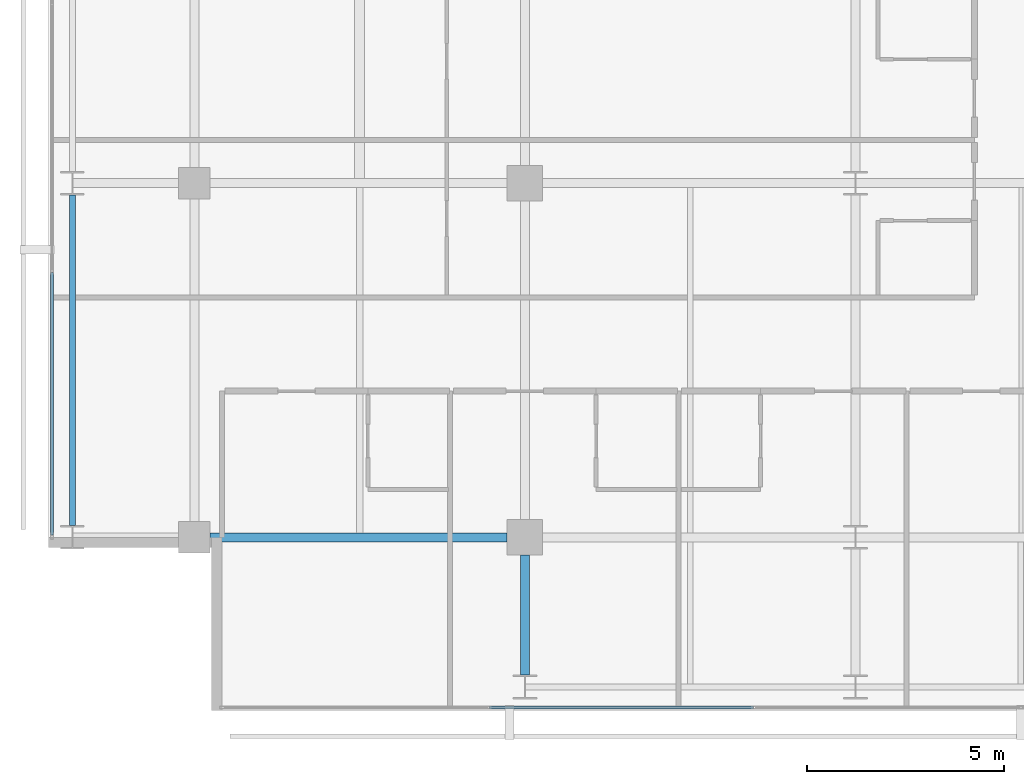
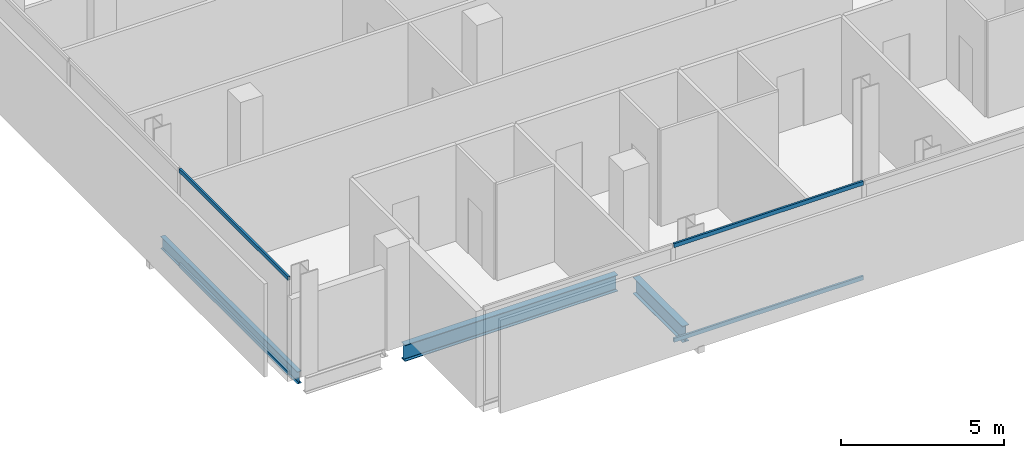
# One storey, part 3 of 34: 4 members, 3 beams, 2 elements without a shape of their own.
"""IFC4 building model written with IfcOpenShell, lengths in metres."""

from ifc_helpers import new_model, si_unit, direction, frame, origin, origin_2d, place, context, subcontext, project, spatial, hollow_rectangle, i_section, extrude, material, layer, layer_set, material_profile, profile_set, type_object, element, aggregate, save


model = new_model("IFC4")

# Units and contexts
model_context = context("Model", 3, precision=1e-05, world=origin(), true_north=direction((0.0, 1.0)))
body_context = subcontext(model_context, "Body", "Model", "MODEL_VIEW")
ifc_project = project(units=[si_unit("LENGTHUNIT", "METRE"), si_unit("AREAUNIT", "SQUARE_METRE"), si_unit("VOLUMEUNIT", "CUBIC_METRE"), si_unit("PLANEANGLEUNIT", "RADIAN"), si_unit("MASSUNIT", "GRAM", prefix="KILO")], contexts=[model_context])

# Site, building, storey
site_placement = place(None, origin())
site = spatial("IfcSite", under=ifc_project, at=site_placement, CompositionType="ELEMENT")
building_placement = place(site_placement, origin())
building = spatial("IfcBuilding", under=site, at=building_placement, Name="Maruvema Waterfront Hotel and Observation Tower", CompositionType="ELEMENT")
storey_placement = place(building_placement, frame((0.0, 0.0, 131.25)))
storey = spatial("IfcBuildingStorey", under=building, at=storey_placement, Name="L31", CompositionType="ELEMENT", Elevation=131.25)

# Curtain wall, members
ifc_material_1 = material(Name="Anodised bronze aluminium and solar-control low-E IGU", Category="aluminium")
ifc_layer = layer(ifc_material_1, 0.159912109375, Name="Zone 2 Amber Inner Thermal Curtain Wall System CW-03")
ifc_layer_set = layer_set([ifc_layer], Name="Anodised bronze aluminium and solar-control low-E IGU")
curtain_wall_type = type_object("IfcCurtainWallType", Name="Zone 2 Amber Inner Thermal Curtain Wall System CW-03", PredefinedType="USERDEFINED", material=ifc_layer_set)
curtain_wall_1_placement = place(storey_placement, origin())
curtain_wall_1 = element("IfcCurtainWall", 1, at=curtain_wall_1_placement, inside=storey, type_object=curtain_wall_type, Name="L31 Curtain Wall CW-L31-S", ObjectType="UNITISED CURTAIN WALL", PredefinedType="USERDEFINED")
ifc_material_2 = material(Name="Anodised architectural bronze aluminium", Category="aluminium")
ifc_material_profile_1 = material_profile(ifc_material_2, hollow_rectangle(XDim=0.070068359375, YDim=0.14990234375, WallThickness=0.00390625, at=origin_2d()), Name="ALU-T70x150")
ifc_profile_set_1 = profile_set([ifc_material_profile_1], Name="Anodised architectural bronze aluminium")
member_type = type_object("IfcMemberType", Name="Curtain Wall Horizontal Transom ALU-T70x150", PredefinedType="USERDEFINED", material=ifc_profile_set_1)
member_1_placement = place(storey_placement, frame((24.296630859375, 4.679931640625, 0.030029296875), z_axis=(1.0, 0.0, 0.0), x_axis=(0.0, 1.0, 0.0)))
member_1 = element("IfcMember", 2, at=member_1_placement, type_object=member_type, Name="CW-03 transom 2.1", ObjectType="TRANSOM", PredefinedType="USERDEFINED", context=body_context, shape_type="SweptSolid", body=[
    extrude(hollow_rectangle(XDim=0.070068359375, YDim=0.14990234375, WallThickness=0.00390625, at=origin_2d()), origin(), (0.0, 0.0, 1.0), 6.706787109375),
])
member_2_placement = place(storey_placement, frame((24.296630859375, 4.679931640625, 3.580078125), z_axis=(1.0, 0.0, 0.0), x_axis=(0.0, 1.0, 0.0)))
member_2 = element("IfcMember", 3, at=member_2_placement, type_object=member_type, Name="CW-03 transom 2.2", ObjectType="TRANSOM", PredefinedType="USERDEFINED", context=body_context, shape_type="SweptSolid", body=[
    extrude(hollow_rectangle(XDim=0.070068359375, YDim=0.14990234375, WallThickness=0.00390625, at=origin_2d()), origin(), (0.0, 0.0, 1.0), 6.706787109375),
])
aggregate(curtain_wall_1, [member_1, member_2])

curtain_wall_2_placement = place(storey_placement, origin())
curtain_wall_2 = element("IfcCurtainWall", 4, at=curtain_wall_2_placement, inside=storey, type_object=curtain_wall_type, Name="L31 Curtain Wall CW-L31-W", ObjectType="UNITISED CURTAIN WALL", PredefinedType="USERDEFINED")
member_3_placement = place(storey_placement, frame((13.179931640625, 15.736572265625, 0.030029296875), z_axis=(0.0, -1.0, 0.0), x_axis=(1.0, 0.0, 0.0)))
member_3 = element("IfcMember", 5, at=member_3_placement, type_object=member_type, Name="CW-03 transom 6.1", ObjectType="TRANSOM", PredefinedType="USERDEFINED", context=body_context, shape_type="SweptSolid", body=[
    extrude(hollow_rectangle(XDim=0.070068359375, YDim=0.14990234375, WallThickness=0.00390625, at=origin_2d()), origin(), (0.0, 0.0, 1.0), 6.676513671875),
])
member_4_placement = place(storey_placement, frame((13.179931640625, 15.736572265625, 3.580078125), z_axis=(0.0, -1.0, 0.0), x_axis=(1.0, 0.0, 0.0)))
member_4 = element("IfcMember", 6, at=member_4_placement, type_object=member_type, Name="CW-03 transom 6.2", ObjectType="TRANSOM", PredefinedType="USERDEFINED", context=body_context, shape_type="SweptSolid", body=[
    extrude(hollow_rectangle(XDim=0.070068359375, YDim=0.14990234375, WallThickness=0.00390625, at=origin_2d()), origin(), (0.0, 0.0, 1.0), 6.676513671875),
])
aggregate(curtain_wall_2, [member_3, member_4])

# Beams
ifc_material_3 = material(Name="Steel ASTM A572 Grade 50", Category="steel")
ifc_material_profile_2 = material_profile(ifc_material_3, i_section(OverallWidth=0.153076171875, OverallDepth=0.455078125, WebThickness=0.008056640625, FlangeThickness=0.01318359375, FilletRadius=0.014892578125, at=origin_2d()), Name="W460x60.0")
ifc_profile_set_2 = profile_set([ifc_material_profile_2], Name="Steel ASTM A572 Grade 50")
beam_type_1 = type_object("IfcBeamType", Name="Perimeter Spandrel Beam W460x60.0", PredefinedType="SPANDREL", material=ifc_profile_set_2)
beam_1_placement = place(storey_placement, frame((13.699951171875, 9.300048828125, -0.467529296875), z_axis=(0.0, 1.0, 0.0), x_axis=(-1.0, 0.0, 0.0)))
element("IfcBeam", 7, at=beam_1_placement, inside=storey, type_object=beam_type_1, Name="L31 Floor Girder NS-01", PredefinedType="SPANDREL", context=body_context, shape_type="SweptSolid", body=[
    extrude(i_section(OverallWidth=0.153076171875, OverallDepth=0.455078125, WebThickness=0.008056640625, FlangeThickness=0.01318359375, FilletRadius=0.014892578125, at=origin_2d()), origin(), (0.0, 0.0, 1.0), 8.39990234375),
])
ifc_material_4 = material(Name="Steel ASTM A572 Grade 50", Category="steel")
ifc_material_profile_3 = material_profile(ifc_material_4, i_section(OverallWidth=0.22900390625, OverallDepth=0.612060546875, WebThickness=0.011962890625, FlangeThickness=0.01953125, FilletRadius=0.01806640625, at=origin_2d()), Name="W610x125.0")
ifc_profile_set_3 = profile_set([ifc_material_profile_3], Name="Steel ASTM A572 Grade 50")
beam_type_2 = type_object("IfcBeamType", Name="Primary Floor Girder W610x125.0", PredefinedType="BEAM", material=ifc_profile_set_3)
beam_2_placement = place(storey_placement, frame((17.199951171875, 9.0, -0.5458984375), z_axis=(1.0, 0.0, 0.0), x_axis=(0.0, 1.0, 0.0)))
element("IfcBeam", 8, at=beam_2_placement, inside=storey, type_object=beam_type_2, Name="L31 Floor Girder EW-05", PredefinedType="BEAM", context=body_context, shape_type="SweptSolid", body=[
    extrude(i_section(OverallWidth=0.22900390625, OverallDepth=0.612060546875, WebThickness=0.011962890625, FlangeThickness=0.01953125, FilletRadius=0.01806640625, at=origin_2d()), origin(), (0.0, 0.0, 1.0), 7.550048828125),
])
beam_3_placement = place(storey_placement, frame((25.199951171875, 5.5, -0.5458984375), z_axis=(0.0, 1.0, 0.0), x_axis=(-1.0, 0.0, 0.0)))
element("IfcBeam", 9, at=beam_3_placement, inside=storey, type_object=beam_type_2, Name="L31 Floor Girder NS-09", PredefinedType="BEAM", context=body_context, shape_type="SweptSolid", body=[
    extrude(i_section(OverallWidth=0.22900390625, OverallDepth=0.612060546875, WebThickness=0.011962890625, FlangeThickness=0.01953125, FilletRadius=0.01806640625, at=origin_2d()), origin(), (0.0, 0.0, 1.0), 3.050048828125),
])

save(model, "model.ifc")
